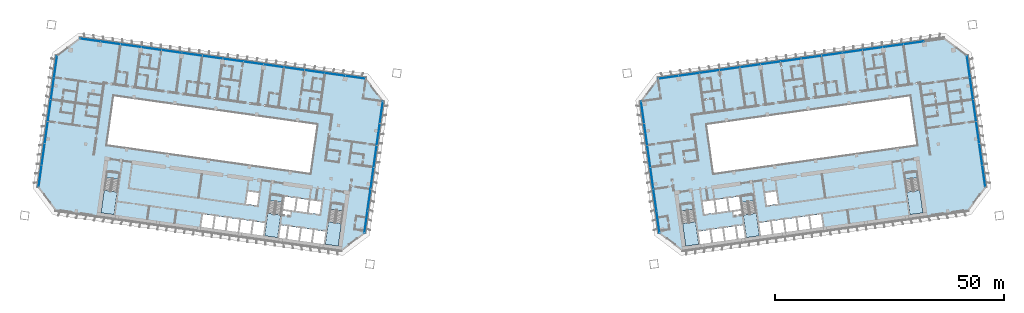
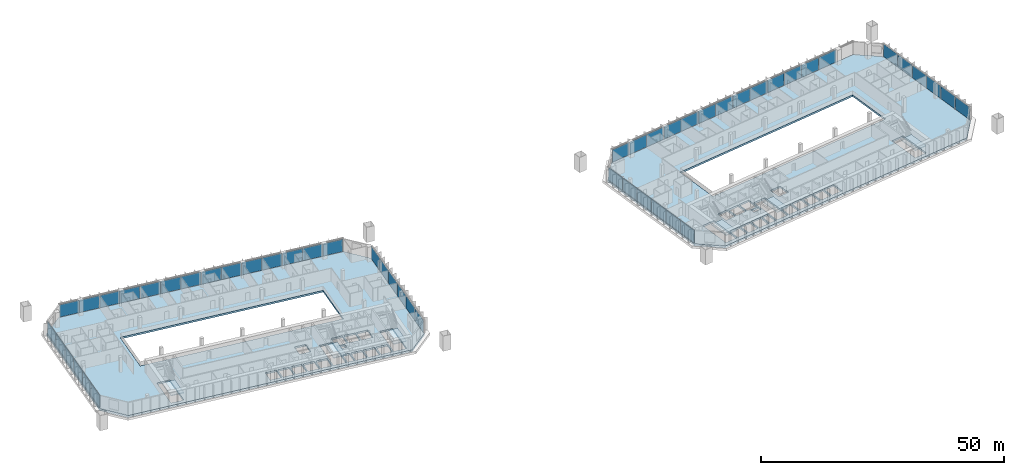
# One storey, part 12 of 25: 51 plates, 8 slabs, 12 elements without a shape of their own.
"""IFC4 building model written with IfcOpenShell, lengths in metres."""

from ifc_helpers import new_model, si_unit, direction, frame, origin, origin_2d, place, context, subcontext, project, spatial, polyline, rectangle, outline, extrude, material, layer, layer_set, type_object, element, aggregate, save


model = new_model("IFC4")

# Units and contexts
model_context = context("Model", 3, precision=1e-05, world=origin(), true_north=direction((0.0, 1.0)))
body_context = subcontext(model_context, "Body", "Model", "MODEL_VIEW")
ifc_project = project(units=[si_unit("LENGTHUNIT", "METRE"), si_unit("AREAUNIT", "SQUARE_METRE"), si_unit("VOLUMEUNIT", "CUBIC_METRE"), si_unit("PLANEANGLEUNIT", "RADIAN"), si_unit("MASSUNIT", "GRAM", prefix="KILO")], contexts=[model_context])

# Site, building, storey
site_placement = place(None, origin())
site = spatial("IfcSite", under=ifc_project, at=site_placement, CompositionType="ELEMENT")
building_placement = place(site_placement, origin())
building = spatial("IfcBuilding", under=site, at=building_placement, Name="Mirante Cascada Hotel Towers", CompositionType="ELEMENT")
storey_placement = place(building_placement, frame((0.0, 0.0, 54.7)))
storey = spatial("IfcBuildingStorey", under=building, at=storey_placement, Name="L10", CompositionType="ELEMENT", Elevation=54.7)

# Curtain wall, plates
ifc_material_1 = material(Name="Aluminium mullion and transom frame with clear laminated glass", Category="aluminium")
curtain_wall_type_1 = type_object("IfcCurtainWallType", Name="Ribbon curtain wall ECW1", PredefinedType="NOTDEFINED", material=ifc_material_1)
curtain_wall_1_placement = place(storey_placement, origin())
curtain_wall_1 = element("IfcCurtainWall", 1, at=curtain_wall_1_placement, inside=storey, type_object=curtain_wall_type_1, Name="Front ribbon wall T1 L10", PredefinedType="NOTDEFINED")
ifc_material_2 = material(Name="Clear laminated glass", Category="glass")
ifc_layer_1 = layer(ifc_material_2, 0.036)
ifc_layer_set_1 = layer_set([ifc_layer_1], Name="ECW1 glass panel 36")
plate_type_1 = type_object("IfcPlateType", Name="ECW1 glass panel 36", PredefinedType="CURTAIN_PANEL", material=ifc_layer_set_1)
plate_1_placement = place(storey_placement, frame((-91.9184, 25.7373, 0.1), z_axis=(0.0, 0.0, 1.0), x_axis=(0.9902681, -0.1391731, 0.0)))
plate_1 = element("IfcPlate", 2, at=plate_1_placement, type_object=plate_type_1, Name="ECW1 panel 1", PredefinedType="CURTAIN_PANEL", context=body_context, shape_type="SweptSolid", body=[
    extrude(rectangle(XDim=4.3936, YDim=0.036, at=origin_2d()), origin(), (0.0, 0.0, 1.0), 3.15),
])
plate_2_placement = place(storey_placement, frame((-87.487, 25.1145, 0.1), z_axis=(0.0, 0.0, 1.0), x_axis=(0.9902681, -0.1391731, 0.0)))
plate_2 = element("IfcPlate", 3, at=plate_2_placement, type_object=plate_type_1, Name="ECW1 panel 2", PredefinedType="CURTAIN_PANEL", context=body_context, shape_type="SweptSolid", body=[
    extrude(rectangle(XDim=4.4261, YDim=0.036, at=origin_2d()), origin(), (0.0, 0.0, 1.0), 3.15),
])
plate_3_placement = place(storey_placement, frame((-83.0396, 24.4895, 0.1), z_axis=(0.0, 0.0, 1.0), x_axis=(0.9902681, -0.1391731, 0.0)))
plate_3 = element("IfcPlate", 4, at=plate_3_placement, type_object=plate_type_1, Name="ECW1 panel 3", PredefinedType="CURTAIN_PANEL", context=body_context, shape_type="SweptSolid", body=[
    extrude(rectangle(XDim=4.4261, YDim=0.036, at=origin_2d()), origin(), (0.0, 0.0, 1.0), 3.15),
])
plate_4_placement = place(storey_placement, frame((-78.5922, 23.8644, 0.1), z_axis=(0.0, 0.0, 1.0), x_axis=(0.9902681, -0.1391731, 0.0)))
plate_4 = element("IfcPlate", 5, at=plate_4_placement, type_object=plate_type_1, Name="ECW1 panel 4", PredefinedType="CURTAIN_PANEL", context=body_context, shape_type="SweptSolid", body=[
    extrude(rectangle(XDim=4.4261, YDim=0.036, at=origin_2d()), origin(), (0.0, 0.0, 1.0), 3.15),
])
plate_5_placement = place(storey_placement, frame((-74.1448, 23.2394, 0.1), z_axis=(0.0, 0.0, 1.0), x_axis=(0.9902681, -0.1391731, 0.0)))
plate_5 = element("IfcPlate", 6, at=plate_5_placement, type_object=plate_type_1, Name="ECW1 panel 5", PredefinedType="CURTAIN_PANEL", context=body_context, shape_type="SweptSolid", body=[
    extrude(rectangle(XDim=4.4261, YDim=0.036, at=origin_2d()), origin(), (0.0, 0.0, 1.0), 3.15),
])
plate_6_placement = place(storey_placement, frame((-69.6974, 22.6144, 0.1), z_axis=(0.0, 0.0, 1.0), x_axis=(0.9902681, -0.1391731, 0.0)))
plate_6 = element("IfcPlate", 7, at=plate_6_placement, type_object=plate_type_1, Name="ECW1 panel 6", PredefinedType="CURTAIN_PANEL", context=body_context, shape_type="SweptSolid", body=[
    extrude(rectangle(XDim=4.4261, YDim=0.036, at=origin_2d()), origin(), (0.0, 0.0, 1.0), 3.15),
])
plate_7_placement = place(storey_placement, frame((-65.2499, 21.9893, 0.1), z_axis=(0.0, 0.0, 1.0), x_axis=(0.9902681, -0.1391731, 0.0)))
plate_7 = element("IfcPlate", 8, at=plate_7_placement, type_object=plate_type_1, Name="ECW1 panel 7", PredefinedType="CURTAIN_PANEL", context=body_context, shape_type="SweptSolid", body=[
    extrude(rectangle(XDim=4.4261, YDim=0.036, at=origin_2d()), origin(), (0.0, 0.0, 1.0), 3.15),
])
plate_8_placement = place(storey_placement, frame((-60.8025, 21.3643, 0.1), z_axis=(0.0, 0.0, 1.0), x_axis=(0.9902681, -0.1391731, 0.0)))
plate_8 = element("IfcPlate", 9, at=plate_8_placement, type_object=plate_type_1, Name="ECW1 panel 8", PredefinedType="CURTAIN_PANEL", context=body_context, shape_type="SweptSolid", body=[
    extrude(rectangle(XDim=4.4261, YDim=0.036, at=origin_2d()), origin(), (0.0, 0.0, 1.0), 3.15),
])
plate_9_placement = place(storey_placement, frame((-56.3551, 20.7392, 0.1), z_axis=(0.0, 0.0, 1.0), x_axis=(0.9902681, -0.1391731, 0.0)))
plate_9 = element("IfcPlate", 10, at=plate_9_placement, type_object=plate_type_1, Name="ECW1 panel 9", PredefinedType="CURTAIN_PANEL", context=body_context, shape_type="SweptSolid", body=[
    extrude(rectangle(XDim=4.4261, YDim=0.036, at=origin_2d()), origin(), (0.0, 0.0, 1.0), 3.15),
])
plate_10_placement = place(storey_placement, frame((-51.9077, 20.1142, 0.1), z_axis=(0.0, 0.0, 1.0), x_axis=(0.9902681, -0.1391731, 0.0)))
plate_10 = element("IfcPlate", 11, at=plate_10_placement, type_object=plate_type_1, Name="ECW1 panel 10", PredefinedType="CURTAIN_PANEL", context=body_context, shape_type="SweptSolid", body=[
    extrude(rectangle(XDim=4.4261, YDim=0.036, at=origin_2d()), origin(), (0.0, 0.0, 1.0), 3.15),
])
plate_11_placement = place(storey_placement, frame((-47.4603, 19.4891, 0.1), z_axis=(0.0, 0.0, 1.0), x_axis=(0.9902681, -0.1391731, 0.0)))
plate_11 = element("IfcPlate", 12, at=plate_11_placement, type_object=plate_type_1, Name="ECW1 panel 11", PredefinedType="CURTAIN_PANEL", context=body_context, shape_type="SweptSolid", body=[
    extrude(rectangle(XDim=4.4261, YDim=0.036, at=origin_2d()), origin(), (0.0, 0.0, 1.0), 3.15),
])
plate_12_placement = place(storey_placement, frame((-43.0129, 18.8641, 0.1), z_axis=(0.0, 0.0, 1.0), x_axis=(0.9902681, -0.1391731, 0.0)))
plate_12 = element("IfcPlate", 13, at=plate_12_placement, type_object=plate_type_1, Name="ECW1 panel 12", PredefinedType="CURTAIN_PANEL", context=body_context, shape_type="SweptSolid", body=[
    extrude(rectangle(XDim=4.4261, YDim=0.036, at=origin_2d()), origin(), (0.0, 0.0, 1.0), 3.15),
])
plate_13_placement = place(storey_placement, frame((-38.5654, 18.239, 0.1), z_axis=(0.0, 0.0, 1.0), x_axis=(0.9902681, -0.1391731, 0.0)))
plate_13 = element("IfcPlate", 14, at=plate_13_placement, type_object=plate_type_1, Name="ECW1 panel 13", PredefinedType="CURTAIN_PANEL", context=body_context, shape_type="SweptSolid", body=[
    extrude(rectangle(XDim=4.4261, YDim=0.036, at=origin_2d()), origin(), (0.0, 0.0, 1.0), 3.15),
])
plate_14_placement = place(storey_placement, frame((-34.1341, 17.6163, 0.1), z_axis=(0.0, 0.0, 1.0), x_axis=(0.9902681, -0.1391731, 0.0)))
plate_14 = element("IfcPlate", 15, at=plate_14_placement, type_object=plate_type_1, Name="ECW1 panel 14", PredefinedType="CURTAIN_PANEL", context=body_context, shape_type="SweptSolid", body=[
    extrude(rectangle(XDim=4.3936, YDim=0.036, at=origin_2d()), origin(), (0.0, 0.0, 1.0), 3.15),
])
aggregate(curtain_wall_1, [plate_1, plate_2, plate_3, plate_4, plate_5, plate_6, plate_7, plate_8, plate_9, plate_10, plate_11, plate_12, plate_13, plate_14])

curtain_wall_2_placement = place(storey_placement, origin())
curtain_wall_2 = element("IfcCurtainWall", 16, at=curtain_wall_2_placement, inside=storey, type_object=curtain_wall_type_1, Name="Front ribbon wall T2 L10", PredefinedType="NOTDEFINED")
plate_15_placement = place(storey_placement, frame((87.487, 25.1145, 0.1), z_axis=(0.0, 0.0, 1.0), x_axis=(-0.9902681, -0.1391731, 0.0)))
plate_15 = element("IfcPlate", 17, at=plate_15_placement, type_object=plate_type_1, Name="ECW1 panel 2", PredefinedType="CURTAIN_PANEL", context=body_context, shape_type="SweptSolid", body=[
    extrude(rectangle(XDim=4.4261, YDim=0.036, at=origin_2d()), origin(), (0.0, 0.0, 1.0), 3.15),
])
plate_16_placement = place(storey_placement, frame((83.0396, 24.4895, 0.1), z_axis=(0.0, 0.0, 1.0), x_axis=(-0.9902681, -0.1391731, 0.0)))
plate_16 = element("IfcPlate", 18, at=plate_16_placement, type_object=plate_type_1, Name="ECW1 panel 3", PredefinedType="CURTAIN_PANEL", context=body_context, shape_type="SweptSolid", body=[
    extrude(rectangle(XDim=4.4261, YDim=0.036, at=origin_2d()), origin(), (0.0, 0.0, 1.0), 3.15),
])
plate_17_placement = place(storey_placement, frame((78.5922, 23.8644, 0.1), z_axis=(0.0, 0.0, 1.0), x_axis=(-0.9902681, -0.1391731, 0.0)))
plate_17 = element("IfcPlate", 19, at=plate_17_placement, type_object=plate_type_1, Name="ECW1 panel 4", PredefinedType="CURTAIN_PANEL", context=body_context, shape_type="SweptSolid", body=[
    extrude(rectangle(XDim=4.4261, YDim=0.036, at=origin_2d()), origin(), (0.0, 0.0, 1.0), 3.15),
])
plate_18_placement = place(storey_placement, frame((74.1448, 23.2394, 0.1), z_axis=(0.0, 0.0, 1.0), x_axis=(-0.9902681, -0.1391731, 0.0)))
plate_18 = element("IfcPlate", 20, at=plate_18_placement, type_object=plate_type_1, Name="ECW1 panel 5", PredefinedType="CURTAIN_PANEL", context=body_context, shape_type="SweptSolid", body=[
    extrude(rectangle(XDim=4.4261, YDim=0.036, at=origin_2d()), origin(), (0.0, 0.0, 1.0), 3.15),
])
plate_19_placement = place(storey_placement, frame((69.6974, 22.6144, 0.1), z_axis=(0.0, 0.0, 1.0), x_axis=(-0.9902681, -0.1391731, 0.0)))
plate_19 = element("IfcPlate", 21, at=plate_19_placement, type_object=plate_type_1, Name="ECW1 panel 6", PredefinedType="CURTAIN_PANEL", context=body_context, shape_type="SweptSolid", body=[
    extrude(rectangle(XDim=4.4261, YDim=0.036, at=origin_2d()), origin(), (0.0, 0.0, 1.0), 3.15),
])
plate_20_placement = place(storey_placement, frame((65.2499, 21.9893, 0.1), z_axis=(0.0, 0.0, 1.0), x_axis=(-0.9902681, -0.1391731, 0.0)))
plate_20 = element("IfcPlate", 22, at=plate_20_placement, type_object=plate_type_1, Name="ECW1 panel 7", PredefinedType="CURTAIN_PANEL", context=body_context, shape_type="SweptSolid", body=[
    extrude(rectangle(XDim=4.4261, YDim=0.036, at=origin_2d()), origin(), (0.0, 0.0, 1.0), 3.15),
])
plate_21_placement = place(storey_placement, frame((60.8025, 21.3643, 0.1), z_axis=(0.0, 0.0, 1.0), x_axis=(-0.9902681, -0.1391731, 0.0)))
plate_21 = element("IfcPlate", 23, at=plate_21_placement, type_object=plate_type_1, Name="ECW1 panel 8", PredefinedType="CURTAIN_PANEL", context=body_context, shape_type="SweptSolid", body=[
    extrude(rectangle(XDim=4.4261, YDim=0.036, at=origin_2d()), origin(), (0.0, 0.0, 1.0), 3.15),
])
plate_22_placement = place(storey_placement, frame((56.3551, 20.7392, 0.1), z_axis=(0.0, 0.0, 1.0), x_axis=(-0.9902681, -0.1391731, 0.0)))
plate_22 = element("IfcPlate", 24, at=plate_22_placement, type_object=plate_type_1, Name="ECW1 panel 9", PredefinedType="CURTAIN_PANEL", context=body_context, shape_type="SweptSolid", body=[
    extrude(rectangle(XDim=4.4261, YDim=0.036, at=origin_2d()), origin(), (0.0, 0.0, 1.0), 3.15),
])
plate_23_placement = place(storey_placement, frame((51.9077, 20.1142, 0.1), z_axis=(0.0, 0.0, 1.0), x_axis=(-0.9902681, -0.1391731, 0.0)))
plate_23 = element("IfcPlate", 25, at=plate_23_placement, type_object=plate_type_1, Name="ECW1 panel 10", PredefinedType="CURTAIN_PANEL", context=body_context, shape_type="SweptSolid", body=[
    extrude(rectangle(XDim=4.4261, YDim=0.036, at=origin_2d()), origin(), (0.0, 0.0, 1.0), 3.15),
])
plate_24_placement = place(storey_placement, frame((47.4603, 19.4891, 0.1), z_axis=(0.0, 0.0, 1.0), x_axis=(-0.9902681, -0.1391731, 0.0)))
plate_24 = element("IfcPlate", 26, at=plate_24_placement, type_object=plate_type_1, Name="ECW1 panel 11", PredefinedType="CURTAIN_PANEL", context=body_context, shape_type="SweptSolid", body=[
    extrude(rectangle(XDim=4.4261, YDim=0.036, at=origin_2d()), origin(), (0.0, 0.0, 1.0), 3.15),
])
plate_25_placement = place(storey_placement, frame((43.0129, 18.8641, 0.1), z_axis=(0.0, 0.0, 1.0), x_axis=(-0.9902681, -0.1391731, 0.0)))
plate_25 = element("IfcPlate", 27, at=plate_25_placement, type_object=plate_type_1, Name="ECW1 panel 12", PredefinedType="CURTAIN_PANEL", context=body_context, shape_type="SweptSolid", body=[
    extrude(rectangle(XDim=4.4261, YDim=0.036, at=origin_2d()), origin(), (0.0, 0.0, 1.0), 3.15),
])
plate_26_placement = place(storey_placement, frame((38.5654, 18.239, 0.1), z_axis=(0.0, 0.0, 1.0), x_axis=(-0.9902681, -0.1391731, 0.0)))
plate_26 = element("IfcPlate", 28, at=plate_26_placement, type_object=plate_type_1, Name="ECW1 panel 13", PredefinedType="CURTAIN_PANEL", context=body_context, shape_type="SweptSolid", body=[
    extrude(rectangle(XDim=4.4261, YDim=0.036, at=origin_2d()), origin(), (0.0, 0.0, 1.0), 3.15),
])
plate_27_placement = place(storey_placement, frame((34.1341, 17.6163, 0.1), z_axis=(0.0, 0.0, 1.0), x_axis=(-0.9902681, -0.1391731, 0.0)))
plate_27 = element("IfcPlate", 29, at=plate_27_placement, type_object=plate_type_1, Name="ECW1 panel 14", PredefinedType="CURTAIN_PANEL", context=body_context, shape_type="SweptSolid", body=[
    extrude(rectangle(XDim=4.3936, YDim=0.036, at=origin_2d()), origin(), (0.0, 0.0, 1.0), 3.15),
])
aggregate(curtain_wall_2, [plate_15, plate_16, plate_17, plate_18, plate_19, plate_20, plate_21, plate_22, plate_23, plate_24, plate_25, plate_26, plate_27])

ifc_material_3 = material(Name="Aluminium mullion and transom frame with clear laminated glass", Category="aluminium")
curtain_wall_type_2 = type_object("IfcCurtainWallType", Name="End ribbon curtain wall ECW2", PredefinedType="NOTDEFINED", material=ifc_material_3)
curtain_wall_3_placement = place(storey_placement, origin())
curtain_wall_3 = element("IfcCurtainWall", 30, at=curtain_wall_3_placement, inside=storey, type_object=curtain_wall_type_2, Name="Inner end wall T1 L10", PredefinedType="NOTDEFINED")
ifc_material_4 = material(Name="Clear laminated glass", Category="glass")
ifc_layer_2 = layer(ifc_material_4, 0.034)
ifc_layer_set_2 = layer_set([ifc_layer_2], Name="ECW2 glass panel 34")
plate_type_2 = type_object("IfcPlateType", Name="ECW2 glass panel 34", PredefinedType="CURTAIN_PANEL", material=ifc_layer_set_2)
plate_28_placement = place(storey_placement, frame((-28.4763, 9.9193, 0.1), z_axis=(0.0, 0.0, 1.0), x_axis=(-0.1391731, -0.9902681, 0.0)))
plate_28 = element("IfcPlate", 31, at=plate_28_placement, type_object=plate_type_2, Name="ECW2 panel 1", PredefinedType="CURTAIN_PANEL", context=body_context, shape_type="SweptSolid", body=[
    extrude(rectangle(XDim=4.7151, YDim=0.034, at=origin_2d()), origin(), (0.0, 0.0, 1.0), 3.15),
])
plate_29_placement = place(storey_placement, frame((-29.1439, 5.1696, 0.1), z_axis=(0.0, 0.0, 1.0), x_axis=(-0.1391731, -0.9902681, 0.0)))
plate_29 = element("IfcPlate", 32, at=plate_29_placement, type_object=plate_type_2, Name="ECW2 panel 2", PredefinedType="CURTAIN_PANEL", context=body_context, shape_type="SweptSolid", body=[
    extrude(rectangle(XDim=4.7476, YDim=0.034, at=origin_2d()), origin(), (0.0, 0.0, 1.0), 3.15),
])
plate_30_placement = place(storey_placement, frame((-29.8136, 0.4038, 0.1), z_axis=(0.0, 0.0, 1.0), x_axis=(-0.1391731, -0.9902681, 0.0)))
plate_30 = element("IfcPlate", 33, at=plate_30_placement, type_object=plate_type_2, Name="ECW2 panel 3", PredefinedType="CURTAIN_PANEL", context=body_context, shape_type="SweptSolid", body=[
    extrude(rectangle(XDim=4.7476, YDim=0.034, at=origin_2d()), origin(), (0.0, 0.0, 1.0), 3.15),
])
plate_31_placement = place(storey_placement, frame((-30.4834, -4.362, 0.1), z_axis=(0.0, 0.0, 1.0), x_axis=(-0.1391731, -0.9902681, 0.0)))
plate_31 = element("IfcPlate", 34, at=plate_31_placement, type_object=plate_type_2, Name="ECW2 panel 4", PredefinedType="CURTAIN_PANEL", context=body_context, shape_type="SweptSolid", body=[
    extrude(rectangle(XDim=4.7476, YDim=0.034, at=origin_2d()), origin(), (0.0, 0.0, 1.0), 3.15),
])
plate_32_placement = place(storey_placement, frame((-31.1532, -9.1278, 0.1), z_axis=(0.0, 0.0, 1.0), x_axis=(-0.1391731, -0.9902681, 0.0)))
plate_32 = element("IfcPlate", 35, at=plate_32_placement, type_object=plate_type_2, Name="ECW2 panel 5", PredefinedType="CURTAIN_PANEL", context=body_context, shape_type="SweptSolid", body=[
    extrude(rectangle(XDim=4.7476, YDim=0.034, at=origin_2d()), origin(), (0.0, 0.0, 1.0), 3.15),
])
plate_33_placement = place(storey_placement, frame((-31.8207, -13.8775, 0.1), z_axis=(0.0, 0.0, 1.0), x_axis=(-0.1391731, -0.9902681, 0.0)))
plate_33 = element("IfcPlate", 36, at=plate_33_placement, type_object=plate_type_2, Name="ECW2 panel 6", PredefinedType="CURTAIN_PANEL", context=body_context, shape_type="SweptSolid", body=[
    extrude(rectangle(XDim=4.7151, YDim=0.034, at=origin_2d()), origin(), (0.0, 0.0, 1.0), 3.15),
])
aggregate(curtain_wall_3, [plate_28, plate_29, plate_30, plate_31, plate_32, plate_33])

curtain_wall_4_placement = place(storey_placement, origin())
curtain_wall_4 = element("IfcCurtainWall", 37, at=curtain_wall_4_placement, inside=storey, type_object=curtain_wall_type_2, Name="Outer end wall T1 L10", PredefinedType="NOTDEFINED")
plate_34_placement = place(storey_placement, frame((-102.823, -3.8988, 0.1), z_axis=(0.0, 0.0, 1.0), x_axis=(0.1391731, 0.9902681, 0.0)))
plate_34 = element("IfcPlate", 38, at=plate_34_placement, type_object=plate_type_2, Name="ECW2 panel 1", PredefinedType="CURTAIN_PANEL", context=body_context, shape_type="SweptSolid", body=[
    extrude(rectangle(XDim=4.7151, YDim=0.034, at=origin_2d()), origin(), (0.0, 0.0, 1.0), 3.15),
])
plate_35_placement = place(storey_placement, frame((-102.1554, 0.8509, 0.1), z_axis=(0.0, 0.0, 1.0), x_axis=(0.1391731, 0.9902681, 0.0)))
plate_35 = element("IfcPlate", 39, at=plate_35_placement, type_object=plate_type_2, Name="ECW2 panel 2", PredefinedType="CURTAIN_PANEL", context=body_context, shape_type="SweptSolid", body=[
    extrude(rectangle(XDim=4.7476, YDim=0.034, at=origin_2d()), origin(), (0.0, 0.0, 1.0), 3.15),
])
plate_36_placement = place(storey_placement, frame((-101.4857, 5.6167, 0.1), z_axis=(0.0, 0.0, 1.0), x_axis=(0.1391731, 0.9902681, 0.0)))
plate_36 = element("IfcPlate", 40, at=plate_36_placement, type_object=plate_type_2, Name="ECW2 panel 3", PredefinedType="CURTAIN_PANEL", context=body_context, shape_type="SweptSolid", body=[
    extrude(rectangle(XDim=4.7476, YDim=0.034, at=origin_2d()), origin(), (0.0, 0.0, 1.0), 3.15),
])
plate_37_placement = place(storey_placement, frame((-100.8159, 10.3825, 0.1), z_axis=(0.0, 0.0, 1.0), x_axis=(0.1391731, 0.9902681, 0.0)))
plate_37 = element("IfcPlate", 41, at=plate_37_placement, type_object=plate_type_2, Name="ECW2 panel 4", PredefinedType="CURTAIN_PANEL", context=body_context, shape_type="SweptSolid", body=[
    extrude(rectangle(XDim=4.7476, YDim=0.034, at=origin_2d()), origin(), (0.0, 0.0, 1.0), 3.15),
])
plate_38_placement = place(storey_placement, frame((-100.1461, 15.1483, 0.1), z_axis=(0.0, 0.0, 1.0), x_axis=(0.1391731, 0.9902681, 0.0)))
plate_38 = element("IfcPlate", 42, at=plate_38_placement, type_object=plate_type_2, Name="ECW2 panel 5", PredefinedType="CURTAIN_PANEL", context=body_context, shape_type="SweptSolid", body=[
    extrude(rectangle(XDim=4.7476, YDim=0.034, at=origin_2d()), origin(), (0.0, 0.0, 1.0), 3.15),
])
plate_39_placement = place(storey_placement, frame((-99.4786, 19.898, 0.1), z_axis=(0.0, 0.0, 1.0), x_axis=(0.1391731, 0.9902681, 0.0)))
plate_39 = element("IfcPlate", 43, at=plate_39_placement, type_object=plate_type_2, Name="ECW2 panel 6", PredefinedType="CURTAIN_PANEL", context=body_context, shape_type="SweptSolid", body=[
    extrude(rectangle(XDim=4.7151, YDim=0.034, at=origin_2d()), origin(), (0.0, 0.0, 1.0), 3.15),
])
aggregate(curtain_wall_4, [plate_34, plate_35, plate_36, plate_37, plate_38, plate_39])

curtain_wall_5_placement = place(storey_placement, origin())
curtain_wall_5 = element("IfcCurtainWall", 44, at=curtain_wall_5_placement, inside=storey, type_object=curtain_wall_type_2, Name="Inner end wall T2 L10", PredefinedType="NOTDEFINED")
plate_40_placement = place(storey_placement, frame((28.4763, 9.9193, 0.1), z_axis=(0.0, 0.0, 1.0), x_axis=(0.1391731, -0.9902681, 0.0)))
plate_40 = element("IfcPlate", 45, at=plate_40_placement, type_object=plate_type_2, Name="ECW2 panel 1", PredefinedType="CURTAIN_PANEL", context=body_context, shape_type="SweptSolid", body=[
    extrude(rectangle(XDim=4.7151, YDim=0.034, at=origin_2d()), origin(), (0.0, 0.0, 1.0), 3.15),
])
plate_41_placement = place(storey_placement, frame((29.1439, 5.1696, 0.1), z_axis=(0.0, 0.0, 1.0), x_axis=(0.1391731, -0.9902681, 0.0)))
plate_41 = element("IfcPlate", 46, at=plate_41_placement, type_object=plate_type_2, Name="ECW2 panel 2", PredefinedType="CURTAIN_PANEL", context=body_context, shape_type="SweptSolid", body=[
    extrude(rectangle(XDim=4.7476, YDim=0.034, at=origin_2d()), origin(), (0.0, 0.0, 1.0), 3.15),
])
plate_42_placement = place(storey_placement, frame((29.8136, 0.4038, 0.1), z_axis=(0.0, 0.0, 1.0), x_axis=(0.1391731, -0.9902681, 0.0)))
plate_42 = element("IfcPlate", 47, at=plate_42_placement, type_object=plate_type_2, Name="ECW2 panel 3", PredefinedType="CURTAIN_PANEL", context=body_context, shape_type="SweptSolid", body=[
    extrude(rectangle(XDim=4.7476, YDim=0.034, at=origin_2d()), origin(), (0.0, 0.0, 1.0), 3.15),
])
plate_43_placement = place(storey_placement, frame((30.4834, -4.362, 0.1), z_axis=(0.0, 0.0, 1.0), x_axis=(0.1391731, -0.9902681, 0.0)))
plate_43 = element("IfcPlate", 48, at=plate_43_placement, type_object=plate_type_2, Name="ECW2 panel 4", PredefinedType="CURTAIN_PANEL", context=body_context, shape_type="SweptSolid", body=[
    extrude(rectangle(XDim=4.7476, YDim=0.034, at=origin_2d()), origin(), (0.0, 0.0, 1.0), 3.15),
])
plate_44_placement = place(storey_placement, frame((31.1532, -9.1278, 0.1), z_axis=(0.0, 0.0, 1.0), x_axis=(0.1391731, -0.9902681, 0.0)))
plate_44 = element("IfcPlate", 49, at=plate_44_placement, type_object=plate_type_2, Name="ECW2 panel 5", PredefinedType="CURTAIN_PANEL", context=body_context, shape_type="SweptSolid", body=[
    extrude(rectangle(XDim=4.7476, YDim=0.034, at=origin_2d()), origin(), (0.0, 0.0, 1.0), 3.15),
])
plate_45_placement = place(storey_placement, frame((31.8207, -13.8775, 0.1), z_axis=(0.0, 0.0, 1.0), x_axis=(0.1391731, -0.9902681, 0.0)))
plate_45 = element("IfcPlate", 50, at=plate_45_placement, type_object=plate_type_2, Name="ECW2 panel 6", PredefinedType="CURTAIN_PANEL", context=body_context, shape_type="SweptSolid", body=[
    extrude(rectangle(XDim=4.7151, YDim=0.034, at=origin_2d()), origin(), (0.0, 0.0, 1.0), 3.15),
])
aggregate(curtain_wall_5, [plate_40, plate_41, plate_42, plate_43, plate_44, plate_45])

curtain_wall_6_placement = place(storey_placement, origin())
curtain_wall_6 = element("IfcCurtainWall", 51, at=curtain_wall_6_placement, inside=storey, type_object=curtain_wall_type_2, Name="Outer end wall T2 L10", PredefinedType="NOTDEFINED")
plate_46_placement = place(storey_placement, frame((102.823, -3.8988, 0.1), z_axis=(0.0, 0.0, 1.0), x_axis=(-0.1391731, 0.9902681, 0.0)))
plate_46 = element("IfcPlate", 52, at=plate_46_placement, type_object=plate_type_2, Name="ECW2 panel 1", PredefinedType="CURTAIN_PANEL", context=body_context, shape_type="SweptSolid", body=[
    extrude(rectangle(XDim=4.7151, YDim=0.034, at=origin_2d()), origin(), (0.0, 0.0, 1.0), 3.15),
])
plate_47_placement = place(storey_placement, frame((102.1554, 0.8509, 0.1), z_axis=(0.0, 0.0, 1.0), x_axis=(-0.1391731, 0.9902681, 0.0)))
plate_47 = element("IfcPlate", 53, at=plate_47_placement, type_object=plate_type_2, Name="ECW2 panel 2", PredefinedType="CURTAIN_PANEL", context=body_context, shape_type="SweptSolid", body=[
    extrude(rectangle(XDim=4.7476, YDim=0.034, at=origin_2d()), origin(), (0.0, 0.0, 1.0), 3.15),
])
plate_48_placement = place(storey_placement, frame((101.4857, 5.6167, 0.1), z_axis=(0.0, 0.0, 1.0), x_axis=(-0.1391731, 0.9902681, 0.0)))
plate_48 = element("IfcPlate", 54, at=plate_48_placement, type_object=plate_type_2, Name="ECW2 panel 3", PredefinedType="CURTAIN_PANEL", context=body_context, shape_type="SweptSolid", body=[
    extrude(rectangle(XDim=4.7476, YDim=0.034, at=origin_2d()), origin(), (0.0, 0.0, 1.0), 3.15),
])
plate_49_placement = place(storey_placement, frame((100.8159, 10.3825, 0.1), z_axis=(0.0, 0.0, 1.0), x_axis=(-0.1391731, 0.9902681, 0.0)))
plate_49 = element("IfcPlate", 55, at=plate_49_placement, type_object=plate_type_2, Name="ECW2 panel 4", PredefinedType="CURTAIN_PANEL", context=body_context, shape_type="SweptSolid", body=[
    extrude(rectangle(XDim=4.7476, YDim=0.034, at=origin_2d()), origin(), (0.0, 0.0, 1.0), 3.15),
])
plate_50_placement = place(storey_placement, frame((100.1461, 15.1483, 0.1), z_axis=(0.0, 0.0, 1.0), x_axis=(-0.1391731, 0.9902681, 0.0)))
plate_50 = element("IfcPlate", 56, at=plate_50_placement, type_object=plate_type_2, Name="ECW2 panel 5", PredefinedType="CURTAIN_PANEL", context=body_context, shape_type="SweptSolid", body=[
    extrude(rectangle(XDim=4.7476, YDim=0.034, at=origin_2d()), origin(), (0.0, 0.0, 1.0), 3.15),
])
plate_51_placement = place(storey_placement, frame((99.4786, 19.898, 0.1), z_axis=(0.0, 0.0, 1.0), x_axis=(-0.1391731, 0.9902681, 0.0)))
plate_51 = element("IfcPlate", 57, at=plate_51_placement, type_object=plate_type_2, Name="ECW2 panel 6", PredefinedType="CURTAIN_PANEL", context=body_context, shape_type="SweptSolid", body=[
    extrude(rectangle(XDim=4.7151, YDim=0.034, at=origin_2d()), origin(), (0.0, 0.0, 1.0), 3.15),
])
aggregate(curtain_wall_6, [plate_46, plate_47, plate_48, plate_49, plate_50, plate_51])

# Stair, slab
ifc_material_5 = material(Name="Concrete C35/45", Category="concrete")
stair_type = type_object("IfcStairType", Name="Exit stair half-turn 1350 concrete C35/45", PredefinedType="HALF_TURN_STAIR", material=ifc_material_5)
stair_1_placement = place(storey_placement, origin())
stair_1 = element("IfcStair", 58, at=stair_1_placement, inside=storey, type_object=stair_type, Name="L10 Exit stair A", PredefinedType="HALF_TURN_STAIR")
ifc_material_6 = material(Name="Concrete C35/45", Category="concrete")
ifc_layer_3 = layer(ifc_material_6, 0.2)
ifc_layer_set_3 = layer_set([ifc_layer_3], Name="Exit stair landing 200 concrete C35/45")
slab_type_1 = type_object("IfcSlabType", Name="Exit stair landing 200 concrete C35/45", PredefinedType="LANDING", material=ifc_layer_set_3)
slab_1_placement = place(storey_placement, frame((0.0, 0.0, 1.7)))
slab_1 = element("IfcSlab", 59, at=slab_1_placement, type_object=slab_type_1, Name="ST1-A landing 1", PredefinedType="LANDING", context=body_context, shape_type="SweptSolid", body=[
    extrude(outline(polyline([(-39.9987, -13.8659), (-40.6887, -18.7757), (-37.8665, -19.1723), (-37.1765, -14.2626), (-39.9987, -13.8659)])), origin(), (0.0, 0.0, 1.0), 0.2),
])
aggregate(stair_1, [slab_1])

stair_2_placement = place(storey_placement, origin())
stair_2 = element("IfcStair", 60, at=stair_2_placement, inside=storey, type_object=stair_type, Name="L10 Exit stair B", PredefinedType="HALF_TURN_STAIR")
slab_2_placement = place(storey_placement, frame((0.0, 0.0, 1.7)))
slab_2 = element("IfcSlab", 61, at=slab_2_placement, type_object=slab_type_1, Name="ST1-B landing 1", PredefinedType="LANDING", context=body_context, shape_type="SweptSolid", body=[
    extrude(outline(polyline([(-53.2188, -12.008), (-53.9088, -16.9177), (-51.0866, -17.3144), (-50.3965, -12.4046), (-53.2188, -12.008)])), origin(), (0.0, 0.0, 1.0), 0.2),
])
aggregate(stair_2, [slab_2])

stair_3_placement = place(storey_placement, origin())
stair_3 = element("IfcStair", 62, at=stair_3_placement, inside=storey, type_object=stair_type, Name="L10 Exit stair C", PredefinedType="HALF_TURN_STAIR")
slab_3_placement = place(storey_placement, frame((0.0, 0.0, 1.7)))
slab_3 = element("IfcSlab", 63, at=slab_3_placement, type_object=slab_type_1, Name="ST1-C landing 1", PredefinedType="LANDING", context=body_context, shape_type="SweptSolid", body=[
    extrude(outline(polyline([(-88.8685, -6.9977), (-89.5585, -11.9075), (-86.7362, -12.3041), (-86.0462, -7.3944), (-88.8685, -6.9977)])), origin(), (0.0, 0.0, 1.0), 0.2),
])
aggregate(stair_3, [slab_3])

stair_4_placement = place(storey_placement, origin())
stair_4 = element("IfcStair", 64, at=stair_4_placement, inside=storey, type_object=stair_type, Name="L10 Exit stair A", PredefinedType="HALF_TURN_STAIR")
slab_4_placement = place(storey_placement, frame((0.0, 0.0, 1.7)))
slab_4 = element("IfcSlab", 65, at=slab_4_placement, type_object=slab_type_1, Name="ST2-A landing 1", PredefinedType="LANDING", context=body_context, shape_type="SweptSolid", body=[
    extrude(outline(polyline([(37.1765, -14.2626), (37.8665, -19.1723), (40.6887, -18.7757), (39.9987, -13.8659), (37.1765, -14.2626)])), origin(), (0.0, 0.0, 1.0), 0.2),
])
aggregate(stair_4, [slab_4])

stair_5_placement = place(storey_placement, origin())
stair_5 = element("IfcStair", 66, at=stair_5_placement, inside=storey, type_object=stair_type, Name="L10 Exit stair B", PredefinedType="HALF_TURN_STAIR")
slab_5_placement = place(storey_placement, frame((0.0, 0.0, 1.7)))
slab_5 = element("IfcSlab", 67, at=slab_5_placement, type_object=slab_type_1, Name="ST2-B landing 1", PredefinedType="LANDING", context=body_context, shape_type="SweptSolid", body=[
    extrude(outline(polyline([(50.3965, -12.4046), (51.0866, -17.3144), (53.9088, -16.9177), (53.2188, -12.008), (50.3965, -12.4046)])), origin(), (0.0, 0.0, 1.0), 0.2),
])
aggregate(stair_5, [slab_5])

stair_6_placement = place(storey_placement, origin())
stair_6 = element("IfcStair", 68, at=stair_6_placement, inside=storey, type_object=stair_type, Name="L10 Exit stair C", PredefinedType="HALF_TURN_STAIR")
slab_6_placement = place(storey_placement, frame((0.0, 0.0, 1.7)))
slab_6 = element("IfcSlab", 69, at=slab_6_placement, type_object=slab_type_1, Name="ST2-C landing 1", PredefinedType="LANDING", context=body_context, shape_type="SweptSolid", body=[
    extrude(outline(polyline([(86.0462, -7.3944), (86.7362, -12.3041), (89.5585, -11.9075), (88.8685, -6.9977), (86.0462, -7.3944)])), origin(), (0.0, 0.0, 1.0), 0.2),
])
aggregate(stair_6, [slab_6])

# Slabs
ifc_material_7 = material(Name="Concrete C40/50", Category="concrete")
ifc_layer_4 = layer(ifc_material_7, 0.45)
ifc_layer_set_4 = layer_set([ifc_layer_4], Name="Post-tensioned flat plate 450 Concrete C40/50")
slab_type_2 = type_object("IfcSlabType", Name="Post-tensioned flat plate 450 Concrete C40/50", PredefinedType="FLOOR", material=ifc_layer_set_4)
slab_7_placement = place(storey_placement, frame((0.0, 0.0, -0.45)))
element("IfcSlab", 70, at=slab_7_placement, inside=storey, type_object=slab_type_2, Name="Floor T1 L10", PredefinedType="FLOOR", context=body_context, shape_type="SweptSolid", body=[
    extrude(outline(polyline([(-32.018, -16.3589), (-27.982, 12.3589), (-31.8119, 17.4414), (-94.1988, 26.2093), (-99.2813, 22.3794), (-103.3173, -6.3384), (-99.4874, -11.4209), (-37.1005, -20.1888), (-32.018, -16.3589)]), holes=[polyline([(-43.0718, -15.6132), (-40.5961, -15.9612), (-40.9858, -18.7339), (-43.4615, -18.386), (-43.0718, -15.6132)]), polyline([(-45.8446, -15.2236), (-43.3689, -15.5715), (-43.7586, -18.3442), (-46.2342, -17.9963), (-45.8446, -15.2236)]), polyline([(-48.6173, -14.8339), (-46.1416, -15.1818), (-46.5313, -17.9546), (-49.007, -17.6066), (-48.6173, -14.8339)]), polyline([(-50.3998, -14.5834), (-48.9144, -14.7921), (-49.3041, -17.5649), (-50.7895, -17.3561), (-50.3998, -14.5834)]), polyline([(-36.7887, -11.5037), (-37.8665, -19.1723), (-40.6887, -18.7757), (-39.611, -11.107), (-36.7887, -11.5037)]), polyline([(-49.9544, -11.4145), (-48.1472, -11.6685), (-48.2829, -12.634), (-50.0901, -12.38), (-49.9544, -11.4145)]), polyline([(-43.9775, -9.124), (-41.5018, -9.472), (-41.8915, -12.2447), (-44.3672, -11.8968), (-43.9775, -9.124)]), polyline([(-47.1399, -11.5071), (-46.7503, -8.7344), (-44.2746, -9.0823), (-44.6643, -11.855), (-47.1399, -11.5071)]), polyline([(-49.9127, -11.1174), (-49.523, -8.3447), (-47.0473, -8.6926), (-47.437, -11.4654), (-49.9127, -11.1174)]), polyline([(-56.2919, -13.7553), (-53.8162, -14.1032), (-54.2059, -16.876), (-56.6816, -16.528), (-56.2919, -13.7553)]), polyline([(-59.0646, -13.3656), (-56.589, -13.7135), (-56.9787, -16.4863), (-59.4543, -16.1383), (-59.0646, -13.3656)]), polyline([(-61.8374, -12.9759), (-59.3617, -13.3238), (-59.7514, -16.0966), (-62.2271, -15.7487), (-61.8374, -12.9759)]), polyline([(-64.6101, -12.5862), (-62.1345, -12.9342), (-62.5242, -15.7069), (-64.9998, -15.359), (-64.6101, -12.5862)]), polyline([(-67.3829, -12.1965), (-64.9072, -12.5445), (-65.2969, -15.3172), (-67.7726, -14.9693), (-67.3829, -12.1965)]), polyline([(-50.0088, -9.6457), (-51.0866, -17.3144), (-53.9088, -16.9177), (-52.8311, -9.2491), (-50.0088, -9.6457)]), polyline([(-85.6585, -4.6355), (-86.7362, -12.3041), (-89.5585, -11.9075), (-88.4807, -4.2388), (-85.6585, -4.6355)]), polyline([(-57.9834, -9.9832), (-57.5937, -7.2104), (-55.118, -7.5583), (-55.5077, -10.3311), (-57.9834, -9.9832)]), polyline([(-88.4039, 2.7747), (-86.873, 13.6677), (-42.3109, 7.4049), (-43.8418, -3.4881), (-88.4039, 2.7747)])]), origin(), (0.0, 0.0, 1.0), 0.45),
])
slab_8_placement = place(storey_placement, frame((0.0, 0.0, -0.45)))
element("IfcSlab", 71, at=slab_8_placement, inside=storey, type_object=slab_type_2, Name="Floor T2 L10", PredefinedType="FLOOR", context=body_context, shape_type="SweptSolid", body=[
    extrude(outline(polyline([(32.018, -16.3589), (27.982, 12.3589), (31.8119, 17.4414), (94.1988, 26.2093), (99.2813, 22.3794), (103.3173, -6.3384), (99.4874, -11.4209), (37.1005, -20.1888), (32.018, -16.3589)]), holes=[polyline([(43.0718, -15.6132), (40.5961, -15.9612), (40.9858, -18.7339), (43.4615, -18.386), (43.0718, -15.6132)]), polyline([(45.8446, -15.2236), (43.3689, -15.5715), (43.7586, -18.3442), (46.2342, -17.9963), (45.8446, -15.2236)]), polyline([(48.6173, -14.8339), (46.1416, -15.1818), (46.5313, -17.9546), (49.007, -17.6066), (48.6173, -14.8339)]), polyline([(50.3998, -14.5834), (48.9144, -14.7921), (49.3041, -17.5649), (50.7895, -17.3561), (50.3998, -14.5834)]), polyline([(37.8665, -19.1723), (40.6887, -18.7757), (39.611, -11.107), (36.7887, -11.5037), (37.8665, -19.1723)]), polyline([(49.9544, -11.4145), (48.1472, -11.6685), (48.2829, -12.634), (50.0901, -12.38), (49.9544, -11.4145)]), polyline([(43.9775, -9.124), (41.5018, -9.472), (41.8915, -12.2447), (44.3672, -11.8968), (43.9775, -9.124)]), polyline([(47.1399, -11.5071), (46.7503, -8.7344), (44.2746, -9.0823), (44.6643, -11.855), (47.1399, -11.5071)]), polyline([(49.9127, -11.1174), (49.523, -8.3447), (47.0473, -8.6926), (47.437, -11.4654), (49.9127, -11.1174)]), polyline([(56.2919, -13.7553), (53.8162, -14.1032), (54.2059, -16.876), (56.6816, -16.528), (56.2919, -13.7553)]), polyline([(59.0646, -13.3656), (56.589, -13.7135), (56.9787, -16.4863), (59.4543, -16.1383), (59.0646, -13.3656)]), polyline([(61.8374, -12.9759), (59.3617, -13.3238), (59.7514, -16.0966), (62.2271, -15.7487), (61.8374, -12.9759)]), polyline([(64.6101, -12.5862), (62.1345, -12.9342), (62.5242, -15.7069), (64.9998, -15.359), (64.6101, -12.5862)]), polyline([(67.3829, -12.1965), (64.9072, -12.5445), (65.2969, -15.3172), (67.7726, -14.9693), (67.3829, -12.1965)]), polyline([(51.0866, -17.3144), (53.9088, -16.9177), (52.8311, -9.2491), (50.0088, -9.6457), (51.0866, -17.3144)]), polyline([(86.7362, -12.3041), (89.5585, -11.9075), (88.4807, -4.2388), (85.6585, -4.6355), (86.7362, -12.3041)]), polyline([(57.9834, -9.9832), (57.5937, -7.2104), (55.118, -7.5583), (55.5077, -10.3311), (57.9834, -9.9832)]), polyline([(88.4039, 2.7747), (86.873, 13.6677), (42.3109, 7.4049), (43.8418, -3.4881), (88.4039, 2.7747)])]), origin(), (0.0, 0.0, 1.0), 0.45),
])

save(model, "model.ifc")
